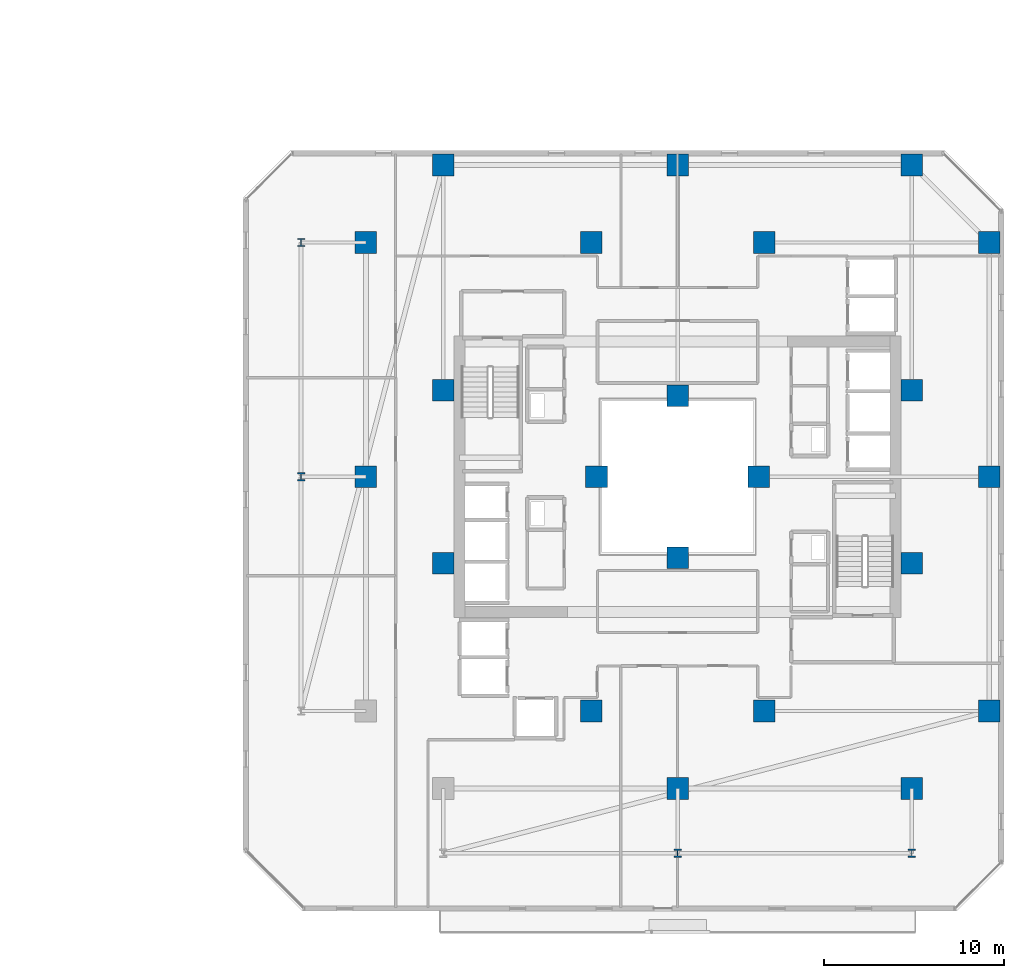
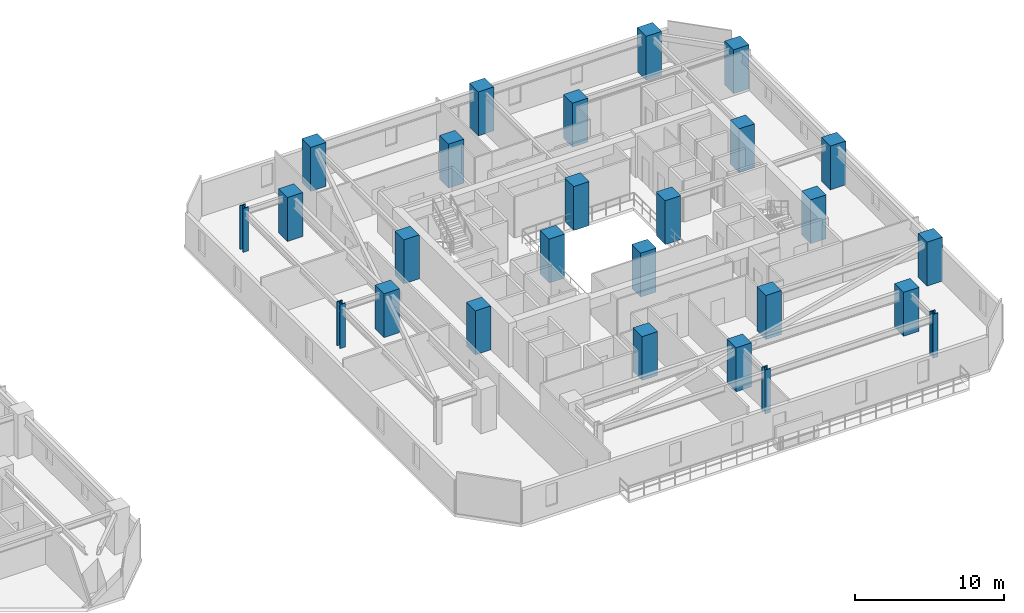
# One storey, part 2 of 33: 26 columns.
"""IFC4 building model written with IfcOpenShell, lengths in metres."""

from ifc_helpers import new_model, si_unit, direction, frame, origin, origin_2d, place, context, subcontext, project, spatial, rectangle, i_section, extrude, material, material_profile, profile_set, type_object, element, save


model = new_model("IFC4")

# Units and contexts
model_context = context("Model", 3, precision=1e-05, world=origin(), true_north=direction((0.0, 1.0)))
body_context = subcontext(model_context, "Body", "Model", "MODEL_VIEW")
ifc_project = project(units=[si_unit("LENGTHUNIT", "METRE"), si_unit("AREAUNIT", "SQUARE_METRE"), si_unit("VOLUMEUNIT", "CUBIC_METRE"), si_unit("PLANEANGLEUNIT", "RADIAN"), si_unit("MASSUNIT", "GRAM", prefix="KILO")], contexts=[model_context])

# Site, building, storey
site_placement = place(None, origin())
site = spatial("IfcSite", under=ifc_project, at=site_placement, CompositionType="ELEMENT")
building_placement = place(site_placement, origin())
building = spatial("IfcBuilding", under=site, at=building_placement, Name="Thornwick Lancets Civic Towers", CompositionType="ELEMENT")
storey_placement = place(building_placement, frame((0.0, 0.0, 108.89990234375)))
storey = spatial("IfcBuildingStorey", under=building, at=storey_placement, Name="L28", CompositionType="ELEMENT", Elevation=108.89990234375)

# Columns
ifc_material_1 = material(Name="Concrete C60/75", Category="concrete")
ifc_material_profile_1 = material_profile(ifc_material_1, rectangle(XDim=1.199951171875, YDim=1.199951171875, at=origin_2d()), Name="RC 1200x1200")
ifc_profile_set_1 = profile_set([ifc_material_profile_1], Name="Concrete C60/75")
column_type_1 = type_object("IfcColumnType", Name="COL_RC_1200", PredefinedType="COLUMN", material=ifc_profile_set_1)
for number, where, z_axis, x_axis, name in (
    (1, (105.800048828125, 14.0, 0.0), (0.0, 0.0, 1.0), (1.0, 0.0, 0.0), "L28 Spine Mega-Column B01"),
    (2, (105.800048828125, 27.0, 0.0), (0.0, 0.0, 1.0), (1.0, 0.0, 0.0), "L28 Spine Mega-Column B02"),
    (3, (105.800048828125, 40.0, 0.0), (0.0, 0.0, 1.0), (1.0, 0.0, 0.0), "L28 Spine Mega-Column B03"),
    (4, (101.5, 44.300048828125, 0.0), (0.0, 0.0, 1.0), (1.0, 0.0, 0.0), "L28 Spine Mega-Column B04"),
    (5, (88.5, 44.300048828125, 0.0), (0.0, 0.0, 1.0), (1.0, 0.0, 0.0), "L28 Spine Mega-Column B05"),
    (6, (75.5, 44.300048828125, 0.0), (0.0, 0.0, 1.0), (1.0, 0.0, 0.0), "L28 Spine Mega-Column B06"),
    (7, (71.199951171875, 27.0, 0.0), (0.0, 0.0, 1.0), (1.0, 0.0, 0.0), "L28 Spine Mega-Column B08"),
    (8, (71.199951171875, 40.0, 0.0), (0.0, 0.0, 1.0), (1.0, 0.0, 0.0), "L28 Spine Mega-Column B09"),
    (9, (101.5, 9.699951171875, 0.0), (0.0, 0.0, 1.0), (1.0, 0.0, 0.0), "L28 Spine Mega-Column B10"),
    (10, (88.5, 9.699951171875, 0.0), (0.0, 0.0, 1.0), (1.0, 0.0, 0.0), "L28 Spine Mega-Column B11"),
    (11, (93.300048828125, 14.0, 0.0), (0.0, 0.0, 1.0), (1.0, 0.0, 0.0), "L28 Spine Mega-Column B13"),
    (12, (93.300048828125, 40.0, 0.0), (0.0, 0.0, 1.0), (1.0, 0.0, 0.0), "L28 Spine Mega-Column B14"),
    (13, (83.699951171875, 14.0, 0.0), (0.0, 0.0, 1.0), (1.0, 0.0, 0.0), "L28 Spine Mega-Column B15"),
    (14, (83.699951171875, 40.0, 0.0), (0.0, 0.0, 1.0), (1.0, 0.0, 0.0), "L28 Spine Mega-Column B16"),
    (15, (101.5, 22.199951171875, 0.0), (0.0, 0.0, 1.0), (1.0, 0.0, 0.0), "L28 Spine Mega-Column B17"),
    (16, (101.5, 31.800048828125, 0.0), (0.0, 0.0, 1.0), (1.0, 0.0, 0.0), "L28 Spine Mega-Column B18"),
    (17, (75.5, 22.199951171875, 0.0), (0.0, 0.0, 1.0), (1.0, 0.0, 0.0), "L28 Spine Mega-Column B19"),
    (18, (75.5, 31.800048828125, 0.0), (0.0, 0.0, 1.0), (1.0, 0.0, 0.0), "L28 Spine Mega-Column B20"),
    (19, (93.0, 27.0, 0.0), (0.0, 0.0, 1.0), (1.0, 0.0, 0.0), "L28 Spine Mega-Column B21"),
    (20, (84.0, 27.0, 0.0), (0.0, 0.0, 1.0), (1.0, 0.0, 0.0), "L28 Spine Mega-Column B22"),
    (21, (88.5, 22.5, 0.0), (0.0, 0.0, 1.0), (1.0, 0.0, 0.0), "L28 Spine Mega-Column B23"),
    (22, (88.5, 31.5, 0.0), (0.0, 0.0, 1.0), (1.0, 0.0, 0.0), "L28 Spine Mega-Column B24"),
):
    element("IfcColumn", number, at=place(storey_placement, frame(where, z_axis=z_axis, x_axis=x_axis)), inside=storey, type_object=column_type_1, Name=name, PredefinedType="COLUMN", context=body_context, shape_type="SweptSolid", body=[
        extrude(rectangle(XDim=1.199951171875, YDim=1.199951171875, at=origin_2d()), origin(), (0.0, 0.0, 1.0), 3.60009765625),
    ])
ifc_material_2 = material(Name="Steel S460M", Category="steel")
ifc_material_profile_2 = material_profile(ifc_material_2, i_section(OverallWidth=0.41845703125, OverallDepth=0.45556640625, WebThickness=0.0419921875, FlangeThickness=0.0673828125, FilletRadius=0.01513671875, at=origin_2d()), Name="UKC 356x406x551")
ifc_profile_set_2 = profile_set([ifc_material_profile_2], Name="Steel S460M")
column_type_2 = type_object("IfcColumnType", Name="COL_UKC_551", PredefinedType="COLUMN", material=ifc_profile_set_2)
for number, where, z_axis, x_axis, name in (
    (23, (67.60009765625, 27.0, 0.0), (0.0, 0.0, 1.0), (1.0, 0.0, 0.0), "L28 Block Perimeter Column B08"),
    (24, (67.60009765625, 40.0, 0.0), (0.0, 0.0, 1.0), (1.0, 0.0, 0.0), "L28 Block Perimeter Column B09"),
    (25, (101.5, 6.10009765625, 0.0), (0.0, 0.0, 1.0), (1.0, 0.0, 0.0), "L28 Block Perimeter Column B10"),
    (26, (88.5, 6.10009765625, 0.0), (0.0, 0.0, 1.0), (1.0, 0.0, 0.0), "L28 Block Perimeter Column B11"),
):
    element("IfcColumn", number, at=place(storey_placement, frame(where, z_axis=z_axis, x_axis=x_axis)), inside=storey, type_object=column_type_2, Name=name, PredefinedType="COLUMN", context=body_context, shape_type="SweptSolid", body=[
        extrude(i_section(OverallWidth=0.41845703125, OverallDepth=0.45556640625, WebThickness=0.0419921875, FlangeThickness=0.0673828125, FilletRadius=0.01513671875, at=origin_2d()), origin(), (0.0, 0.0, 1.0), 3.60009765625),
    ])

save(model, "model.ifc")
